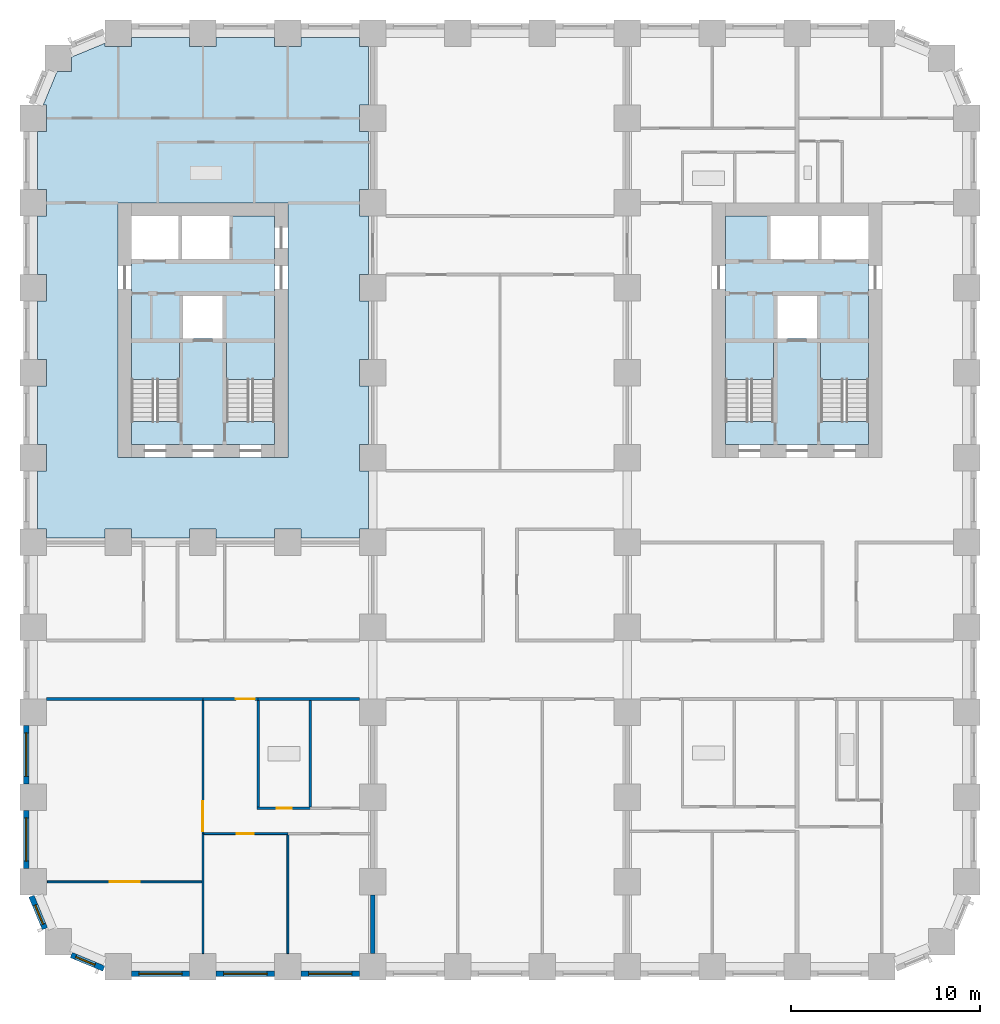
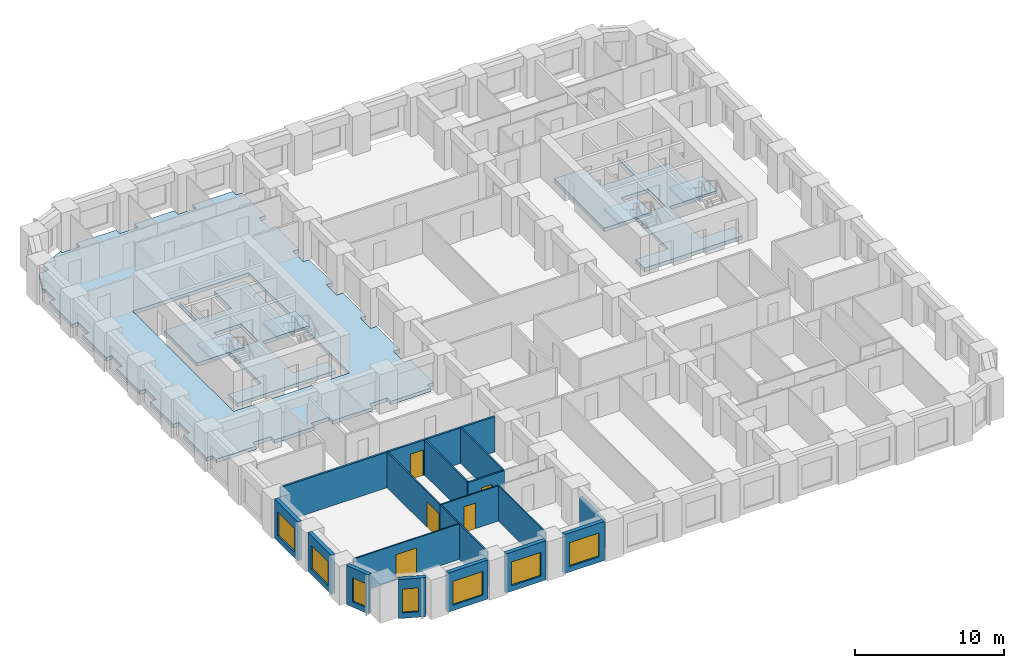
# One storey, part 2 of 12: 19 walls, 7 slabs, 7 windows, 5 doors, 12 openings, 4 elements without a shape of their own.
"""IFC4 building model written with IfcOpenShell, lengths in metres."""

from ifc_helpers import new_model, si_unit, direction, frame, frame_2d, origin, place, context, subcontext, project, spatial, polyline, rectangle, outline, extrude, material, layer, layer_set, type_object, element, fill, aggregate, save


model = new_model("IFC4")

# Units and contexts
model_context = context("Model", 3, precision=1e-05, world=origin(), true_north=direction((0.0, 1.0)))
body_context = subcontext(model_context, "Body", "Model", "MODEL_VIEW")
ifc_project = project(units=[si_unit("LENGTHUNIT", "METRE"), si_unit("AREAUNIT", "SQUARE_METRE"), si_unit("VOLUMEUNIT", "CUBIC_METRE"), si_unit("PLANEANGLEUNIT", "RADIAN"), si_unit("MASSUNIT", "GRAM", prefix="KILO")], contexts=[model_context])

# Site, building, storey
site_placement = place(None, origin())
site = spatial("IfcSite", under=ifc_project, at=site_placement, CompositionType="ELEMENT")
building_placement = place(site_placement, origin())
building = spatial("IfcBuilding", under=site, at=building_placement, Name="Girih Gate Residences", CompositionType="ELEMENT")
storey_placement = place(building_placement, frame((0.0, 0.0, 30.39990234375)))
storey = spatial("IfcBuildingStorey", under=building, at=storey_placement, Name="L06", CompositionType="ELEMENT", Elevation=30.39990234375)

# Slabs
ifc_material_1 = material(Name="Concrete C40/50", Category="concrete")
ifc_layer_1 = layer(ifc_material_1, 0.300048828125)
ifc_layer_set_1 = layer_set([ifc_layer_1], Name="Core floor slab 300")
slab_type_1 = type_object("IfcSlabType", Name="Core floor slab 300", PredefinedType="FLOOR", material=ifc_layer_set_1)
slab_1_placement = place(storey_placement, frame((0.0, 0.0, -0.2998046875)))
element("IfcSlab", 1, at=slab_1_placement, inside=storey, type_object=slab_type_1, Name="L06 W core floor", PredefinedType="FLOOR", context=body_context, shape_type="SweptSolid", body=[
    extrude(outline(polyline([(12.800048828125, 27.699951171875), (5.199951171875, 27.699951171875), (5.199951171875, 28.900634765625), (7.75, 28.900634765625), (7.75, 33.10009765625), (5.199951171875, 33.10009765625), (5.199951171875, 37.5), (7.699951171875, 37.5), (7.699951171875, 39.800048828125), (7.89990234375, 39.800048828125), (7.89990234375, 37.5), (10.39990234375, 37.5), (10.39990234375, 39.800048828125), (12.800048828125, 39.800048828125), (12.800048828125, 33.10009765625), (10.25, 33.10009765625), (10.25, 28.900634765625), (12.800048828125, 28.900634765625), (12.800048828125, 27.699951171875)]), holes=[polyline([(7.949951171875, 33.300048828125), (10.050048828125, 33.300048828125), (10.050048828125, 35.60009765625), (7.949951171875, 35.60009765625), (7.949951171875, 33.300048828125)])]), origin(), (0.0, 0.0, 1.0), 0.2998046875),
])
slab_2_placement = place(storey_placement, frame((0.0, 0.0, -0.2998046875)))
element("IfcSlab", 2, at=slab_2_placement, inside=storey, type_object=slab_type_1, Name="L06 E core floor", PredefinedType="FLOOR", context=body_context, shape_type="SweptSolid", body=[
    extrude(outline(polyline([(44.300048828125, 27.699951171875), (36.699951171875, 27.699951171875), (36.699951171875, 28.900634765625), (39.25, 28.900634765625), (39.25, 33.10009765625), (36.699951171875, 33.10009765625), (36.699951171875, 39.800048828125), (39.10009765625, 39.800048828125), (39.10009765625, 37.5), (41.60009765625, 37.5), (41.60009765625, 39.800048828125), (41.800048828125, 39.800048828125), (41.800048828125, 37.5), (44.300048828125, 37.5), (44.300048828125, 33.10009765625), (41.75, 33.10009765625), (41.75, 28.900634765625), (44.300048828125, 28.900634765625), (44.300048828125, 27.699951171875)]), holes=[polyline([(39.449951171875, 33.300048828125), (41.550048828125, 33.300048828125), (41.550048828125, 35.60009765625), (39.449951171875, 35.60009765625), (39.449951171875, 33.300048828125)])]), origin(), (0.0, 0.0, 1.0), 0.2998046875),
])
ifc_layer_2 = layer(ifc_material_1, 0.300048828125)
ifc_layer_set_2 = layer_set([ifc_layer_2], Name="Floor slab PT 300 Concrete C40/50")
slab_type_2 = type_object("IfcSlabType", Name="Floor slab PT 300 Concrete C40/50", PredefinedType="FLOOR", material=ifc_layer_set_2)
slab_3_placement = place(storey_placement, frame((0.0, 0.0, -0.2998046875)))
element("IfcSlab", 3, at=slab_3_placement, inside=storey, type_object=slab_type_2, Name="Floor slab L06 3", PredefinedType="FLOOR", context=body_context, shape_type="SweptSolid", body=[
    extrude(outline(polyline([(0.22509765625, 26.300048828125), (0.22509765625, 23.199951171875), (0.699951171875, 23.199951171875), (0.699951171875, 22.72509765625), (3.800048828125, 22.72509765625), (3.800048828125, 23.199951171875), (5.199951171875, 23.199951171875), (5.199951171875, 22.72509765625), (8.300048828125, 22.72509765625), (8.300048828125, 23.199951171875), (9.699951171875, 23.199951171875), (9.699951171875, 22.72509765625), (12.800048828125, 22.72509765625), (12.800048828125, 23.199951171875), (14.199951171875, 23.199951171875), (14.199951171875, 22.72509765625), (17.300048828125, 22.72509765625), (17.300048828125, 23.199951171875), (17.77490234375, 23.199951171875), (17.77490234375, 26.300048828125), (17.300048828125, 26.300048828125), (17.300048828125, 27.699951171875), (17.77490234375, 27.699951171875), (17.77490234375, 30.800048828125), (17.300048828125, 30.800048828125), (17.300048828125, 32.199951171875), (17.77490234375, 32.199951171875), (17.77490234375, 35.300048828125), (17.300048828125, 35.300048828125), (17.300048828125, 36.699951171875), (17.77490234375, 36.699951171875), (17.77490234375, 39.800048828125), (17.300048828125, 39.800048828125), (17.300048828125, 41.199951171875), (17.77490234375, 41.199951171875), (17.77490234375, 44.300048828125), (17.300048828125, 44.300048828125), (17.300048828125, 45.699951171875), (17.77490234375, 45.699951171875), (17.77490234375, 48.800048828125), (17.300048828125, 48.800048828125), (17.300048828125, 49.27490234375), (14.199951171875, 49.27490234375), (14.199951171875, 48.800048828125), (12.800048828125, 48.800048828125), (12.800048828125, 49.27490234375), (9.699951171875, 49.27490234375), (9.699951171875, 48.800048828125), (8.300048828125, 48.800048828125), (8.300048828125, 49.27490234375), (5.199951171875, 49.27490234375), (5.199951171875, 48.800048828125), (3.800048828125, 48.800048828125), (3.800048828125, 48.966552734375), (2.01806640625, 48.228271484375), (2.01806640625, 47.48193359375), (1.271728515625, 47.48193359375), (0.533447265625, 45.699951171875), (0.699951171875, 45.699951171875), (0.699951171875, 44.300048828125), (0.22509765625, 44.300048828125), (0.22509765625, 41.199951171875), (0.699951171875, 41.199951171875), (0.699951171875, 39.800048828125), (0.22509765625, 39.800048828125), (0.22509765625, 36.699951171875), (0.699951171875, 36.699951171875), (0.699951171875, 35.300048828125), (0.22509765625, 35.300048828125), (0.22509765625, 32.199951171875), (0.699951171875, 32.199951171875), (0.699951171875, 30.800048828125), (0.22509765625, 30.800048828125), (0.22509765625, 27.699951171875), (0.699951171875, 27.699951171875), (0.699951171875, 26.300048828125), (0.22509765625, 26.300048828125)]), holes=[polyline([(13.5, 40.5), (13.5, 27.0), (4.5, 27.0), (4.5, 40.5), (13.5, 40.5)])]), origin(), (0.0, 0.0, 1.0), 0.2998046875),
])

# Stair, slab
stair_type = type_object("IfcStairType", Name="Exit stair", PredefinedType="HALF_TURN_STAIR", material=ifc_material_1)
stair_1_placement = place(storey_placement, origin())
stair_1 = element("IfcStair", 4, at=stair_1_placement, inside=storey, type_object=stair_type, Name="L06 Exit Stair ST-W1", PredefinedType="HALF_TURN_STAIR")
ifc_layer_3 = layer(ifc_material_1, 0.199951171875)
ifc_layer_set_3 = layer_set([ifc_layer_3], Name="Stair landing 200")
slab_type_3 = type_object("IfcSlabType", Name="Stair landing 200", PredefinedType="LANDING", material=ifc_layer_set_3)
slab_4_placement = place(storey_placement, frame((0.0, 0.0, 1.400146484375)))
slab_4 = element("IfcSlab", 5, at=slab_4_placement, type_object=slab_type_3, Name="ST-W1 landing 1", PredefinedType="LANDING", context=body_context, shape_type="SweptSolid", body=[
    extrude(outline(polyline([(7.75, 31.14990234375), (7.75, 33.10009765625), (5.199951171875, 33.10009765625), (5.199951171875, 31.14990234375), (7.75, 31.14990234375)])), origin(), (0.0, 0.0, 1.0), 0.199951171875),
])
aggregate(stair_1, [slab_4])

stair_2_placement = place(storey_placement, origin())
stair_2 = element("IfcStair", 6, at=stair_2_placement, inside=storey, type_object=stair_type, Name="L06 Exit Stair ST-W2", PredefinedType="HALF_TURN_STAIR")
slab_5_placement = place(storey_placement, frame((0.0, 0.0, 1.400146484375)))
slab_5 = element("IfcSlab", 7, at=slab_5_placement, type_object=slab_type_3, Name="ST-W2 landing 1", PredefinedType="LANDING", context=body_context, shape_type="SweptSolid", body=[
    extrude(outline(polyline([(12.800048828125, 31.14990234375), (12.800048828125, 33.10009765625), (10.25, 33.10009765625), (10.25, 31.14990234375), (12.800048828125, 31.14990234375)])), origin(), (0.0, 0.0, 1.0), 0.199951171875),
])
aggregate(stair_2, [slab_5])

stair_3_placement = place(storey_placement, origin())
stair_3 = element("IfcStair", 8, at=stair_3_placement, inside=storey, type_object=stair_type, Name="L06 Exit Stair ST-E1", PredefinedType="HALF_TURN_STAIR")
slab_6_placement = place(storey_placement, frame((0.0, 0.0, 1.400146484375)))
slab_6 = element("IfcSlab", 9, at=slab_6_placement, type_object=slab_type_3, Name="ST-E1 landing 1", PredefinedType="LANDING", context=body_context, shape_type="SweptSolid", body=[
    extrude(outline(polyline([(44.300048828125, 31.14990234375), (44.300048828125, 33.10009765625), (41.75, 33.10009765625), (41.75, 31.14990234375), (44.300048828125, 31.14990234375)])), origin(), (0.0, 0.0, 1.0), 0.199951171875),
])
aggregate(stair_3, [slab_6])

stair_4_placement = place(storey_placement, origin())
stair_4 = element("IfcStair", 10, at=stair_4_placement, inside=storey, type_object=stair_type, Name="L06 Exit Stair ST-E2", PredefinedType="HALF_TURN_STAIR")
slab_7_placement = place(storey_placement, frame((0.0, 0.0, 1.400146484375)))
slab_7 = element("IfcSlab", 11, at=slab_7_placement, type_object=slab_type_3, Name="ST-E2 landing 1", PredefinedType="LANDING", context=body_context, shape_type="SweptSolid", body=[
    extrude(outline(polyline([(39.25, 31.14990234375), (39.25, 33.10009765625), (36.699951171875, 33.10009765625), (36.699951171875, 31.14990234375), (39.25, 31.14990234375)])), origin(), (0.0, 0.0, 1.0), 0.199951171875),
])
aggregate(stair_4, [slab_7])

# Walls
ifc_material_2 = material(Name="Gypsum board on steel studs", Category="steel")
ifc_layer_4 = layer(ifc_material_2, 0.25)
ifc_layer_set_4 = layer_set([ifc_layer_4], Name="Acoustic separating wall 250 mm")
wall_type_1 = type_object("IfcWallType", Name="Acoustic separating wall 250 mm", PredefinedType="PARTITIONING", material=ifc_layer_set_4)
wall_1_placement = place(storey_placement, frame((18.0, 0.699951171875, 0.0), z_axis=(0.0, 0.0, 1.0), x_axis=(0.0, 1.0, 0.0)))
element("IfcWall", 12, at=wall_1_placement, inside=storey, type_object=wall_type_1, Name="L06 partition", PredefinedType="PARTITIONING", context=body_context, shape_type="SweptSolid", body=[
    extrude(rectangle(XDim=3.10009765625, YDim=0.25, at=frame_2d((1.550048828125, 0.0))), origin(), (0.0, 0.0, 1.0), 2.380126953125),
])
ifc_layer_5 = layer(ifc_material_2, 0.14990234375)
ifc_layer_set_5 = layer_set([ifc_layer_5], Name="Compartment wall 150 mm")
wall_type_2 = type_object("IfcWallType", Name="Compartment wall 150 mm", PredefinedType="PARTITIONING", material=ifc_layer_set_5)
wall_2_placement = place(storey_placement, frame((11.925048828125, 14.199951171875, 0.0), z_axis=(0.0, 0.0, 1.0), x_axis=(1.0, 0.0, 0.0)))
element("IfcWall", 13, at=wall_2_placement, inside=storey, type_object=wall_type_2, Name="L06 partition", PredefinedType="PARTITIONING", context=body_context, shape_type="SweptSolid", body=[
    extrude(rectangle(XDim=5.375, YDim=0.14990234375, at=frame_2d((2.6875, 0.0))), origin(), (0.0, 0.0, 1.0), 2.900146484375),
])
wall_3_placement = place(storey_placement, frame((0.699951171875, 14.199951171875, 0.0), z_axis=(0.0, 0.0, 1.0), x_axis=(1.0, 0.0, 0.0)))
element("IfcWall", 14, at=wall_3_placement, inside=storey, type_object=wall_type_2, Name="L06 partition", PredefinedType="PARTITIONING", context=body_context, shape_type="SweptSolid", body=[
    extrude(rectangle(XDim=8.300048828125, YDim=0.14990234375, at=frame_2d((4.14990234375, 0.0))), origin(), (0.0, 0.0, 1.0), 2.900146484375),
])

# Wall, opening, door
wall_4_placement = place(storey_placement, frame((11.925048828125, 14.199951171875, 0.0), z_axis=(0.0, 0.0, 1.0), x_axis=(-1.0, 0.0, 0.0)))
wall_4 = element("IfcWall", 15, at=wall_4_placement, inside=storey, type_object=wall_type_2, Name="L06 partition", PredefinedType="PARTITIONING", context=body_context, shape_type="SweptSolid", body=[
    extrude(rectangle(XDim=2.925048828125, YDim=0.14990234375, at=frame_2d((1.46240234375, 0.0))), origin(), (0.0, 0.0, 1.0), 2.900146484375),
])
opening_1_placement = place(wall_4_placement, frame((0.175048828125, 0.0, 0.0)))
opening_1 = element("IfcOpeningElement", 16, at=opening_1_placement, cuts=wall_4, Name="Opening A06-007", PredefinedType="OPENING", context=body_context, shape_type="SweptSolid", body=[
    extrude(rectangle(XDim=1.0, YDim=2.10009765625, at=frame_2d((0.5, 1.050048828125))), frame((0.0, 0.0849609375, 0.0), z_axis=(0.0, -1.0, 0.0), x_axis=(1.0, 0.0, 0.0)), (0.0, 0.0, 1.0), 0.169921875),
])
ifc_material_3 = material(Name="Timber, fire-rated core", Category="wood")
door_type_1 = type_object("IfcDoorType", Name="Flat entrance door 1000x2100 FD30S", OperationType="NOTDEFINED", PredefinedType="DOOR", material=ifc_material_3)
door_1_placement = place(opening_1_placement, origin())
door_1 = element("IfcDoor", 17, at=door_1_placement, inside=storey, type_object=door_type_1, Name="Door A06-007", OperationType="SINGLE_SWING_LEFT", OverallHeight=2.10009765625, OverallWidth=1.0, PredefinedType="DOOR", context=body_context, shape_type="SweptSolid", body=[
    extrude(rectangle(XDim=1.0, YDim=2.10009765625, at=frame_2d((0.5, 1.050048828125))), frame((0.0, 0.02490234375, 0.0), z_axis=(0.0, -1.0, 0.0), x_axis=(1.0, 0.0, 0.0)), (0.0, 0.0, 1.0), 0.050048828125),
])
fill(opening_1, door_1)

# Wall
ifc_layer_6 = layer(ifc_material_2, 0.10009765625)
ifc_layer_set_6 = layer_set([ifc_layer_6], Name="Partition 100 mm")
wall_type_3 = type_object("IfcWallType", Name="Partition 100 mm", PredefinedType="PARTITIONING", material=ifc_layer_set_6)
wall_5_placement = place(storey_placement, frame((13.5, 0.699951171875, 0.0), z_axis=(0.0, 0.0, 1.0), x_axis=(0.0, 1.0, 0.0)))
element("IfcWall", 18, at=wall_5_placement, inside=storey, type_object=wall_type_3, Name="L06 partition", PredefinedType="PARTITIONING", context=body_context, shape_type="SweptSolid", body=[
    extrude(rectangle(XDim=6.31005859375, YDim=0.10009765625, at=frame_2d((3.155029296875, 0.0))), origin(), (0.0, 0.0, 1.0), 2.900146484375),
])

# Wall, opening, door
wall_6_placement = place(storey_placement, frame((13.5, 7.06005859375, 0.0), z_axis=(0.0, 0.0, 1.0), x_axis=(-1.0, 0.0, 0.0)))
wall_6 = element("IfcWall", 19, at=wall_6_placement, inside=storey, type_object=wall_type_3, Name="L06 partition", PredefinedType="PARTITIONING", context=body_context, shape_type="SweptSolid", body=[
    extrude(rectangle(XDim=4.449951171875, YDim=0.10009765625, at=frame_2d((2.22509765625, 0.0))), origin(), (0.0, 0.0, 1.0), 2.900146484375),
])
opening_2_placement = place(wall_6_placement, frame((1.800048828125, 0.0, 0.0)))
opening_2 = element("IfcOpeningElement", 20, at=opening_2_placement, cuts=wall_6, Name="Opening A06-002", PredefinedType="OPENING", context=body_context, shape_type="SweptSolid", body=[
    extrude(rectangle(XDim=0.89990234375, YDim=2.10009765625, at=frame_2d((0.449951171875, 1.050048828125))), frame((0.0, 0.06005859375, 0.0), z_axis=(0.0, -1.0, 0.0), x_axis=(1.0, 0.0, 0.0)), (0.0, 0.0, 1.0), 0.1201171875),
])
ifc_material_4 = material(Name="Timber", Category="wood")
door_type_2 = type_object("IfcDoorType", Name="Bedroom door 900x2100", OperationType="NOTDEFINED", PredefinedType="DOOR", material=ifc_material_4)
door_2_placement = place(opening_2_placement, origin())
door_2 = element("IfcDoor", 21, at=door_2_placement, inside=storey, type_object=door_type_2, Name="Door A06-002", OperationType="SINGLE_SWING_RIGHT", OverallHeight=2.10009765625, OverallWidth=0.89990234375, PredefinedType="DOOR", context=body_context, shape_type="SweptSolid", body=[
    extrude(rectangle(XDim=0.89990234375, YDim=2.10009765625, at=frame_2d((0.449951171875, 1.050048828125))), frame((0.0, 0.02490234375, 0.0), z_axis=(0.0, -1.0, 0.0), x_axis=(1.0, 0.0, 0.0)), (0.0, 0.0, 1.0), 0.050048828125),
])
fill(opening_2, door_2)

# Wall
wall_7_placement = place(storey_placement, frame((9.0, 0.699951171875, 0.0), z_axis=(0.0, 0.0, 1.0), x_axis=(0.0, 1.0, 0.0)))
element("IfcWall", 22, at=wall_7_placement, inside=storey, type_object=wall_type_3, Name="L06 partition", PredefinedType="PARTITIONING", context=body_context, shape_type="SweptSolid", body=[
    extrude(rectangle(XDim=6.360107421875, YDim=0.10009765625, at=frame_2d((3.18017578125, 0.0))), origin(), (0.0, 0.0, 1.0), 2.900146484375),
])

# Wall, opening, door
wall_8_placement = place(storey_placement, frame((9.0, 7.06005859375, 0.0), z_axis=(0.0, 0.0, 1.0), x_axis=(0.0, 1.0, 0.0)))
wall_8 = element("IfcWall", 23, at=wall_8_placement, inside=storey, type_object=wall_type_3, Name="L06 partition", PredefinedType="PARTITIONING", context=body_context, shape_type="SweptSolid", body=[
    extrude(rectangle(XDim=7.06494140625, YDim=0.10009765625, at=frame_2d((3.532470703125, 0.0))), origin(), (0.0, 0.0, 1.0), 2.900146484375),
])
opening_3_placement = place(wall_8_placement, frame((0.1298828125, 0.0, 0.0)))
opening_3 = element("IfcOpeningElement", 24, at=opening_3_placement, cuts=wall_8, Name="Opening A06-004", PredefinedType="OPENING", context=body_context, shape_type="SweptSolid", body=[
    extrude(rectangle(XDim=1.60009765625, YDim=2.10009765625, at=frame_2d((0.800048828125, 1.050048828125))), frame((0.0, 0.06005859375, 0.0), z_axis=(0.0, -1.0, 0.0), x_axis=(1.0, 0.0, 0.0)), (0.0, 0.0, 1.0), 0.1201171875),
])
door_type_3 = type_object("IfcDoorType", Name="Double leaf door 1600x2100", OperationType="NOTDEFINED", PredefinedType="DOOR", material=ifc_material_4)
door_3_placement = place(opening_3_placement, origin())
door_3 = element("IfcDoor", 25, at=door_3_placement, inside=storey, type_object=door_type_3, Name="Door A06-004", OperationType="SINGLE_SWING_LEFT", OverallHeight=2.10009765625, OverallWidth=1.60009765625, PredefinedType="DOOR", context=body_context, shape_type="SweptSolid", body=[
    extrude(rectangle(XDim=1.60009765625, YDim=2.10009765625, at=frame_2d((0.800048828125, 1.050048828125))), frame((0.0, 0.02490234375, 0.0), z_axis=(0.0, -1.0, 0.0), x_axis=(1.0, 0.0, 0.0)), (0.0, 0.0, 1.0), 0.050048828125),
])
fill(opening_3, door_3)

wall_9_placement = place(storey_placement, frame((0.757568359375, 4.5, 0.0), z_axis=(0.0, 0.0, 1.0), x_axis=(1.0, 0.0, 0.0)))
wall_9 = element("IfcWall", 26, at=wall_9_placement, inside=storey, type_object=wall_type_3, Name="L06 partition", PredefinedType="PARTITIONING", context=body_context, shape_type="SweptSolid", body=[
    extrude(rectangle(XDim=8.1923828125, YDim=0.10009765625, at=frame_2d((4.09619140625, 0.0))), origin(), (0.0, 0.0, 1.0), 2.900146484375),
])
opening_4_placement = place(wall_9_placement, frame((3.292236328125, 0.0, 0.0)))
opening_4 = element("IfcOpeningElement", 27, at=opening_4_placement, cuts=wall_9, Name="Opening A06-005", PredefinedType="OPENING", context=body_context, shape_type="SweptSolid", body=[
    extrude(rectangle(XDim=1.60009765625, YDim=2.10009765625, at=frame_2d((0.800048828125, 1.050048828125))), frame((0.0, 0.06005859375, 0.0), z_axis=(0.0, -1.0, 0.0), x_axis=(1.0, 0.0, 0.0)), (0.0, 0.0, 1.0), 0.1201171875),
])
door_4_placement = place(opening_4_placement, origin())
door_4 = element("IfcDoor", 28, at=door_4_placement, inside=storey, type_object=door_type_3, Name="Door A06-005", OperationType="SINGLE_SWING_LEFT", OverallHeight=2.10009765625, OverallWidth=1.60009765625, PredefinedType="DOOR", context=body_context, shape_type="SweptSolid", body=[
    extrude(rectangle(XDim=1.60009765625, YDim=2.10009765625, at=frame_2d((0.800048828125, 1.050048828125))), frame((0.0, 0.02490234375, 0.0), z_axis=(0.0, -1.0, 0.0), x_axis=(1.0, 0.0, 0.0)), (0.0, 0.0, 1.0), 0.050048828125),
])
fill(opening_4, door_4)

# Wall, opening, window
ifc_material_5 = material(Name="Precast concrete C50/60", Category="concrete")
ifc_layer_7 = layer(ifc_material_5, 0.080078125, Name="Outer leaf")
ifc_material_6 = material(Name="Rigid PIR insulation")
ifc_layer_8 = layer(ifc_material_6, 0.14990234375, Name="Insulation")
ifc_material_7 = material(Name="Precast concrete C40/50", Category="concrete")
ifc_layer_9 = layer(ifc_material_7, 0.070068359375, Name="Inner leaf")
ifc_layer_set_7 = layer_set([ifc_layer_7, ifc_layer_8, ifc_layer_9], Name="Precast concrete C50/60 external wall 300")
wall_type_4 = type_object("IfcWallType", Name="Precast concrete C50/60 external wall 300", PredefinedType="SOLIDWALL", material=ifc_layer_set_7)
wall_10_placement = place(storey_placement, frame((0.62158203125, 2.01953125, 0.0), z_axis=(0.0, 0.0, 1.0), x_axis=(-0.38262540684, 0.923903565336, 0.0)))
wall_10 = element("IfcWall", 29, at=wall_10_placement, inside=storey, type_object=wall_type_4, Name="External wall SW0000_0045.0", PredefinedType="SOLIDWALL", context=body_context, shape_type="SweptSolid", body=[
    extrude(rectangle(XDim=1.864990234375, YDim=0.300048828125, at=frame_2d((0.9326171875, 0.0))), origin(), (0.0, 0.0, 1.0), 3.2001953125),
])
opening_5_placement = place(wall_10_placement, frame((0.257568359375, 0.0, 0.449951171875)))
opening_5 = element("IfcOpeningElement", 30, at=opening_5_placement, cuts=wall_10, Name="Opening W-2C", PredefinedType="OPENING", context=body_context, shape_type="SweptSolid", body=[
    extrude(rectangle(XDim=1.10009765625, YDim=1.949951171875, at=frame_2d((0.550048828125, 0.97509765625))), frame((0.0, 0.159912109375, 0.0), z_axis=(0.0, -1.0, 0.0), x_axis=(1.0, 0.0, 0.0)), (0.0, 0.0, 1.0), 0.320068359375),
])
ifc_material_8 = material(Name="Double glazing in aluminium frame", Category="aluminium")
window_type_1 = type_object("IfcWindowType", Name="Window W-2C 1100x1950", PartitioningType="SINGLE_PANEL", PredefinedType="WINDOW", material=ifc_material_8)
window_1_placement = place(opening_5_placement, origin())
window_1 = element("IfcWindow", 31, at=window_1_placement, inside=storey, type_object=window_type_1, Name="Window W-2C SW0000_0045.0", OverallHeight=1.949951171875, OverallWidth=1.10009765625, PartitioningType="SINGLE_PANEL", PredefinedType="WINDOW", context=body_context, shape_type="SweptSolid", body=[
    extrude(rectangle(XDim=1.10009765625, YDim=1.949951171875, at=frame_2d((0.550048828125, 0.97509765625))), frame((0.0, 0.030029296875, 0.0), z_axis=(0.0, -1.0, 0.0), x_axis=(1.0, 0.0, 0.0)), (0.0, 0.0, 1.0), 0.06005859375),
])
fill(opening_5, window_1)

wall_11_placement = place(storey_placement, frame((3.74267578125, -0.09228515625, 0.0), z_axis=(0.0, 0.0, 1.0), x_axis=(-0.923857286003, 0.382737135771, 0.0)))
wall_11 = element("IfcWall", 32, at=wall_11_placement, inside=storey, type_object=wall_type_4, Name="External wall SW0013_0013.0", PredefinedType="SOLIDWALL", context=body_context, shape_type="SweptSolid", body=[
    extrude(rectangle(XDim=1.865234375, YDim=0.300048828125, at=frame_2d((0.9326171875, 0.0))), origin(), (0.0, 0.0, 1.0), 3.2001953125),
])
opening_6_placement = place(wall_11_placement, frame((0.507568359375, 0.0, 0.449951171875)))
opening_6 = element("IfcOpeningElement", 33, at=opening_6_placement, cuts=wall_11, Name="Opening W-2C", PredefinedType="OPENING", context=body_context, shape_type="SweptSolid", body=[
    extrude(rectangle(XDim=1.10009765625, YDim=1.949951171875, at=frame_2d((0.550048828125, 0.97509765625))), frame((0.0, 0.159912109375, 0.0), z_axis=(0.0, -1.0, 0.0), x_axis=(1.0, 0.0, 0.0)), (0.0, 0.0, 1.0), 0.320068359375),
])
window_2_placement = place(opening_6_placement, origin())
window_2 = element("IfcWindow", 34, at=window_2_placement, inside=storey, type_object=window_type_1, Name="Window W-2C SW0013_0013.0", OverallHeight=1.949951171875, OverallWidth=1.10009765625, PartitioningType="SINGLE_PANEL", PredefinedType="WINDOW", context=body_context, shape_type="SweptSolid", body=[
    extrude(rectangle(XDim=1.10009765625, YDim=1.949951171875, at=frame_2d((0.550048828125, 0.97509765625))), frame((0.0, 0.030029296875, 0.0), z_axis=(0.0, -1.0, 0.0), x_axis=(1.0, 0.0, 0.0)), (0.0, 0.0, 1.0), 0.06005859375),
])
fill(opening_6, window_2)

wall_12_placement = place(storey_placement, frame((8.300048828125, -0.375, 0.0), z_axis=(0.0, 0.0, 1.0), x_axis=(-1.0, 0.0, 0.0)))
wall_12 = element("IfcWall", 35, at=wall_12_placement, inside=storey, type_object=wall_type_4, Name="External wall S0045_0000.0", PredefinedType="SOLIDWALL", context=body_context, shape_type="SweptSolid", body=[
    extrude(rectangle(XDim=3.10009765625, YDim=0.300048828125, at=frame_2d((1.550048828125, 0.0))), origin(), (0.0, 0.0, 1.0), 3.2001953125),
])
opening_7_placement = place(wall_12_placement, frame((0.39990234375, 0.0, 0.449951171875)))
opening_7 = element("IfcOpeningElement", 36, at=opening_7_placement, cuts=wall_12, Name="Opening W-1", PredefinedType="OPENING", context=body_context, shape_type="SweptSolid", body=[
    extrude(rectangle(XDim=2.300048828125, YDim=1.949951171875, at=frame_2d((1.14990234375, 0.97509765625))), frame((0.0, 0.159912109375, 0.0), z_axis=(0.0, -1.0, 0.0), x_axis=(1.0, 0.0, 0.0)), (0.0, 0.0, 1.0), 0.320068359375),
])
window_type_2 = type_object("IfcWindowType", Name="Window W-1 2300x1950", PartitioningType="SINGLE_PANEL", PredefinedType="WINDOW", material=ifc_material_8)
window_3_placement = place(opening_7_placement, origin())
window_3 = element("IfcWindow", 37, at=window_3_placement, inside=storey, type_object=window_type_2, Name="Window W-1 S0045_0000.0", OverallHeight=1.949951171875, OverallWidth=2.300048828125, PartitioningType="SINGLE_PANEL", PredefinedType="WINDOW", context=body_context, shape_type="SweptSolid", body=[
    extrude(rectangle(XDim=2.300048828125, YDim=1.949951171875, at=frame_2d((1.14990234375, 0.97509765625))), frame((0.0, 0.030029296875, 0.0), z_axis=(0.0, -1.0, 0.0), x_axis=(1.0, 0.0, 0.0)), (0.0, 0.0, 1.0), 0.06005859375),
])
fill(opening_7, window_3)

wall_13_placement = place(storey_placement, frame((12.800048828125, -0.375, 0.0), z_axis=(0.0, 0.0, 1.0), x_axis=(-1.0, 0.0, 0.0)))
wall_13 = element("IfcWall", 38, at=wall_13_placement, inside=storey, type_object=wall_type_4, Name="External wall S0045_0000.1", PredefinedType="SOLIDWALL", context=body_context, shape_type="SweptSolid", body=[
    extrude(rectangle(XDim=3.10009765625, YDim=0.300048828125, at=frame_2d((1.550048828125, 0.0))), origin(), (0.0, 0.0, 1.0), 3.2001953125),
])
opening_8_placement = place(wall_13_placement, frame((0.39990234375, 0.0, 0.449951171875)))
opening_8 = element("IfcOpeningElement", 39, at=opening_8_placement, cuts=wall_13, Name="Opening W-1", PredefinedType="OPENING", context=body_context, shape_type="SweptSolid", body=[
    extrude(rectangle(XDim=2.300048828125, YDim=1.949951171875, at=frame_2d((1.14990234375, 0.97509765625))), frame((0.0, 0.159912109375, 0.0), z_axis=(0.0, -1.0, 0.0), x_axis=(1.0, 0.0, 0.0)), (0.0, 0.0, 1.0), 0.320068359375),
])
window_4_placement = place(opening_8_placement, origin())
window_4 = element("IfcWindow", 40, at=window_4_placement, inside=storey, type_object=window_type_2, Name="Window W-1 S0045_0000.1", OverallHeight=1.949951171875, OverallWidth=2.300048828125, PartitioningType="SINGLE_PANEL", PredefinedType="WINDOW", context=body_context, shape_type="SweptSolid", body=[
    extrude(rectangle(XDim=2.300048828125, YDim=1.949951171875, at=frame_2d((1.14990234375, 0.97509765625))), frame((0.0, 0.030029296875, 0.0), z_axis=(0.0, -1.0, 0.0), x_axis=(1.0, 0.0, 0.0)), (0.0, 0.0, 1.0), 0.06005859375),
])
fill(opening_8, window_4)

wall_14_placement = place(storey_placement, frame((17.300048828125, -0.375, 0.0), z_axis=(0.0, 0.0, 1.0), x_axis=(-1.0, 0.0, 0.0)))
wall_14 = element("IfcWall", 41, at=wall_14_placement, inside=storey, type_object=wall_type_4, Name="External wall S0045_0000.2", PredefinedType="SOLIDWALL", context=body_context, shape_type="SweptSolid", body=[
    extrude(rectangle(XDim=3.10009765625, YDim=0.300048828125, at=frame_2d((1.550048828125, 0.0))), origin(), (0.0, 0.0, 1.0), 3.2001953125),
])
opening_9_placement = place(wall_14_placement, frame((0.39990234375, 0.0, 0.449951171875)))
opening_9 = element("IfcOpeningElement", 42, at=opening_9_placement, cuts=wall_14, Name="Opening W-1", PredefinedType="OPENING", context=body_context, shape_type="SweptSolid", body=[
    extrude(rectangle(XDim=2.300048828125, YDim=1.949951171875, at=frame_2d((1.14990234375, 0.97509765625))), frame((0.0, 0.159912109375, 0.0), z_axis=(0.0, -1.0, 0.0), x_axis=(1.0, 0.0, 0.0)), (0.0, 0.0, 1.0), 0.320068359375),
])
window_5_placement = place(opening_9_placement, origin())
window_5 = element("IfcWindow", 43, at=window_5_placement, inside=storey, type_object=window_type_2, Name="Window W-1 S0045_0000.2", OverallHeight=1.949951171875, OverallWidth=2.300048828125, PartitioningType="SINGLE_PANEL", PredefinedType="WINDOW", context=body_context, shape_type="SweptSolid", body=[
    extrude(rectangle(XDim=2.300048828125, YDim=1.949951171875, at=frame_2d((1.14990234375, 0.97509765625))), frame((0.0, 0.030029296875, 0.0), z_axis=(0.0, -1.0, 0.0), x_axis=(1.0, 0.0, 0.0)), (0.0, 0.0, 1.0), 0.06005859375),
])
fill(opening_9, window_5)

wall_15_placement = place(storey_placement, frame((-0.375, 9.699951171875, 0.0), z_axis=(0.0, 0.0, 1.0), x_axis=(0.0, 1.0, 0.0)))
wall_15 = element("IfcWall", 44, at=wall_15_placement, inside=storey, type_object=wall_type_4, Name="External wall W0000_0450.7", PredefinedType="SOLIDWALL", context=body_context, shape_type="SweptSolid", body=[
    extrude(rectangle(XDim=3.10009765625, YDim=0.300048828125, at=frame_2d((1.550048828125, 0.0))), origin(), (0.0, 0.0, 1.0), 3.2001953125),
])
opening_10_placement = place(wall_15_placement, frame((0.39990234375, 0.0, 0.449951171875)))
opening_10 = element("IfcOpeningElement", 45, at=opening_10_placement, cuts=wall_15, Name="Opening W-1", PredefinedType="OPENING", context=body_context, shape_type="SweptSolid", body=[
    extrude(rectangle(XDim=2.300048828125, YDim=1.949951171875, at=frame_2d((1.14990234375, 0.97509765625))), frame((0.0, 0.159912109375, 0.0), z_axis=(0.0, -1.0, 0.0), x_axis=(1.0, 0.0, 0.0)), (0.0, 0.0, 1.0), 0.320068359375),
])
window_6_placement = place(opening_10_placement, origin())
window_6 = element("IfcWindow", 46, at=window_6_placement, inside=storey, type_object=window_type_2, Name="Window W-1 W0000_0450.7", OverallHeight=1.949951171875, OverallWidth=2.300048828125, PartitioningType="SINGLE_PANEL", PredefinedType="WINDOW", context=body_context, shape_type="SweptSolid", body=[
    extrude(rectangle(XDim=2.300048828125, YDim=1.949951171875, at=frame_2d((1.14990234375, 0.97509765625))), frame((0.0, 0.030029296875, 0.0), z_axis=(0.0, -1.0, 0.0), x_axis=(1.0, 0.0, 0.0)), (0.0, 0.0, 1.0), 0.06005859375),
])
fill(opening_10, window_6)

wall_16_placement = place(storey_placement, frame((-0.375, 5.199951171875, 0.0), z_axis=(0.0, 0.0, 1.0), x_axis=(0.0, 1.0, 0.0)))
wall_16 = element("IfcWall", 47, at=wall_16_placement, inside=storey, type_object=wall_type_4, Name="External wall W0000_0450.8", PredefinedType="SOLIDWALL", context=body_context, shape_type="SweptSolid", body=[
    extrude(rectangle(XDim=3.10009765625, YDim=0.300048828125, at=frame_2d((1.550048828125, 0.0))), origin(), (0.0, 0.0, 1.0), 3.2001953125),
])
opening_11_placement = place(wall_16_placement, frame((0.39990234375, 0.0, 0.449951171875)))
opening_11 = element("IfcOpeningElement", 48, at=opening_11_placement, cuts=wall_16, Name="Opening W-1", PredefinedType="OPENING", context=body_context, shape_type="SweptSolid", body=[
    extrude(rectangle(XDim=2.300048828125, YDim=1.949951171875, at=frame_2d((1.14990234375, 0.97509765625))), frame((0.0, 0.159912109375, 0.0), z_axis=(0.0, -1.0, 0.0), x_axis=(1.0, 0.0, 0.0)), (0.0, 0.0, 1.0), 0.320068359375),
])
window_7_placement = place(opening_11_placement, origin())
window_7 = element("IfcWindow", 49, at=window_7_placement, inside=storey, type_object=window_type_2, Name="Window W-1 W0000_0450.8", OverallHeight=1.949951171875, OverallWidth=2.300048828125, PartitioningType="SINGLE_PANEL", PredefinedType="WINDOW", context=body_context, shape_type="SweptSolid", body=[
    extrude(rectangle(XDim=2.300048828125, YDim=1.949951171875, at=frame_2d((1.14990234375, 0.97509765625))), frame((0.0, 0.030029296875, 0.0), z_axis=(0.0, -1.0, 0.0), x_axis=(1.0, 0.0, 0.0)), (0.0, 0.0, 1.0), 0.06005859375),
])
fill(opening_11, window_7)

# Wall, opening, door
ifc_layer_10 = layer(ifc_material_2, 0.125)
ifc_layer_set_8 = layer_set([ifc_layer_10], Name="Wet room wall 125 mm")
wall_type_5 = type_object("IfcWallType", Name="Wet room wall 125 mm", PredefinedType="PARTITIONING", material=ifc_layer_set_8)
wall_17_placement = place(storey_placement, frame((11.862548828125, 8.39990234375, 0.0), z_axis=(0.0, 0.0, 1.0), x_axis=(1.0, 0.0, 0.0)))
wall_17 = element("IfcWall", 50, at=wall_17_placement, inside=storey, type_object=wall_type_5, Name="L06 partition", PredefinedType="PARTITIONING", context=body_context, shape_type="SweptSolid", body=[
    extrude(rectangle(XDim=2.827880859375, YDim=0.125, at=frame_2d((1.4140625, 0.0))), origin(), (0.0, 0.0, 1.0), 2.900146484375),
])
opening_12_placement = place(wall_17_placement, frame((1.04541015625, 0.0, 0.0)))
opening_12 = element("IfcOpeningElement", 51, at=opening_12_placement, cuts=wall_17, Name="Opening A06-001", PredefinedType="OPENING", context=body_context, shape_type="SweptSolid", body=[
    extrude(rectangle(XDim=0.800048828125, YDim=2.10009765625, at=frame_2d((0.39990234375, 1.050048828125))), frame((0.0, 0.072509765625, 0.0), z_axis=(0.0, -1.0, 0.0), x_axis=(1.0, 0.0, 0.0)), (0.0, 0.0, 1.0), 0.14501953125),
])
door_type_4 = type_object("IfcDoorType", Name="Bathroom door 800x2100", OperationType="NOTDEFINED", PredefinedType="DOOR", material=ifc_material_4)
door_5_placement = place(opening_12_placement, origin())
door_5 = element("IfcDoor", 52, at=door_5_placement, inside=storey, type_object=door_type_4, Name="Door A06-001", OperationType="SINGLE_SWING_RIGHT", OverallHeight=2.10009765625, OverallWidth=0.800048828125, PredefinedType="DOOR", context=body_context, shape_type="SweptSolid", body=[
    extrude(rectangle(XDim=0.800048828125, YDim=2.10009765625, at=frame_2d((0.39990234375, 1.050048828125))), frame((0.0, 0.02490234375, 0.0), z_axis=(0.0, -1.0, 0.0), x_axis=(1.0, 0.0, 0.0)), (0.0, 0.0, 1.0), 0.050048828125),
])
fill(opening_12, door_5)

# Walls
for number, where, z_axis, x_axis, name in (
    (53, (11.925048828125, 8.46240234375, 0.0), (0.0, 0.0, 1.0), (0.0, 1.0, 0.0), "L06 partition"),
    (54, (14.69091796875, 8.46240234375, 0.0), (0.0, 0.0, 1.0), (0.0, 1.0, 0.0), "L06 partition"),
):
    element("IfcWall", number, at=place(storey_placement, frame(where, z_axis=z_axis, x_axis=x_axis)), inside=storey, type_object=wall_type_5, Name=name, PredefinedType="PARTITIONING", context=body_context, shape_type="SweptSolid", body=[
        extrude(rectangle(XDim=5.66259765625, YDim=0.125, at=frame_2d((2.831298828125, 0.0))), origin(), (0.0, 0.0, 1.0), 2.900146484375),
    ])

save(model, "model.ifc")
